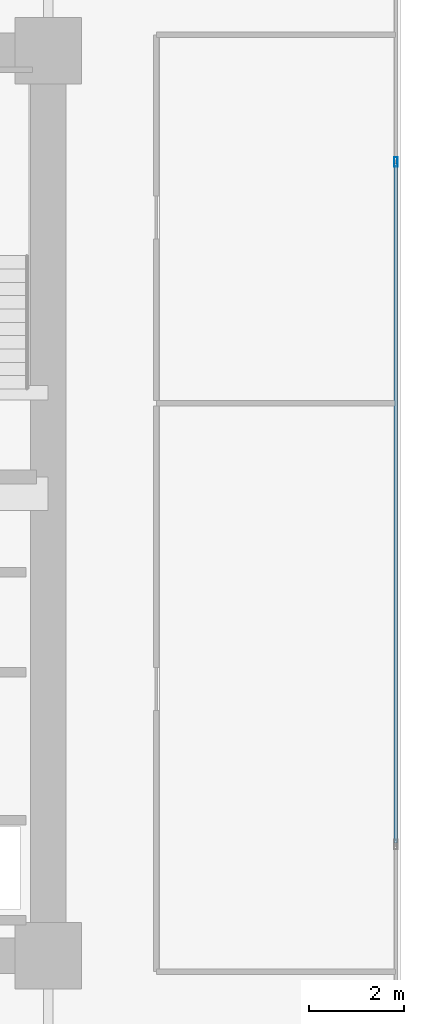
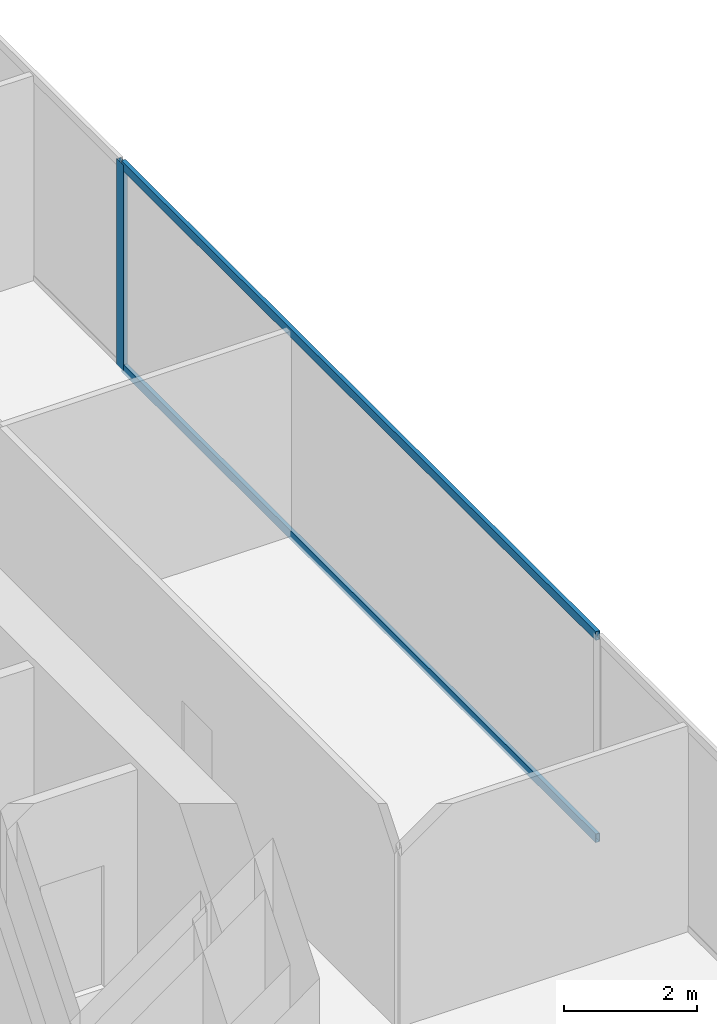
# One storey, part 25 of 36: 3 members, 1 element without a shape of its own.
"""IFC4 building model written with IfcOpenShell, lengths in metres."""

from ifc_helpers import new_model, si_unit, direction, frame, origin, origin_2d, place, context, subcontext, project, spatial, hollow_rectangle, extrude, source, transform, mapped, material, layer, layer_set, material_profile, profile_set, type_object, type_shapes, element, aggregate, save


model = new_model("IFC4")

# Units and contexts
model_context = context("Model", 3, precision=1e-05, world=origin(), true_north=direction((0.0, 1.0)))
body_context = subcontext(model_context, "Body", "Model", "MODEL_VIEW")
ifc_project = project(units=[si_unit("LENGTHUNIT", "METRE"), si_unit("AREAUNIT", "SQUARE_METRE"), si_unit("VOLUMEUNIT", "CUBIC_METRE"), si_unit("PLANEANGLEUNIT", "RADIAN"), si_unit("MASSUNIT", "GRAM", prefix="KILO")], contexts=[model_context])

# Site, building, storey
site_placement = place(None, origin())
site = spatial("IfcSite", under=ifc_project, at=site_placement, CompositionType="ELEMENT")
building_placement = place(site_placement, origin())
building = spatial("IfcBuilding", under=site, at=building_placement, Name="Haelvirn Gate Laboratories", CompositionType="ELEMENT")
storey_placement = place(building_placement, frame((0.0, 0.0, 49.800048828125)))
storey = spatial("IfcBuildingStorey", under=building, at=storey_placement, Name="L12", CompositionType="ELEMENT", Elevation=49.800048828125)

# Curtain wall, members
ifc_material_1 = material(Name="Anodised bronze unitised aluminium & triple low-E glass", Category="aluminium")
ifc_layer = layer(ifc_material_1, 0.18408203125, Name="CW-SYS-2")
ifc_layer_set = layer_set([ifc_layer], Name="Anodised bronze unitised aluminium & triple low-E glass")
curtain_wall_type = type_object("IfcCurtainWallType", Name="CW-SYS-2", PredefinedType="NOTDEFINED", material=ifc_layer_set)
curtain_wall_placement = place(storey_placement, origin())
curtain_wall = element("IfcCurtainWall", 1, at=curtain_wall_placement, inside=storey, type_object=curtain_wall_type, Name="L12 Unitised Curtain Wall CW-L12-P0-E07", PredefinedType="NOTDEFINED")
ifc_material_2 = material(Name="Extruded aluminium 6063-T6 (anodised bronze)", Category="aluminium")
ifc_material_profile_1 = material_profile(ifc_material_2, hollow_rectangle(XDim=0.074951171875, YDim=0.199951171875, WallThickness=0.0048828125, at=origin_2d()), Name="CWM-200x75x5")
ifc_profile_set_1 = profile_set([ifc_material_profile_1], Name="Extruded aluminium 6063-T6 (anodised bronze)")
member_type_1 = type_object("IfcMemberType", Name="CWM-T200", PredefinedType="MULLION", material=ifc_profile_set_1)
shared_shape_1 = source(origin(), body_context, "Body", "SweptSolid", [
    extrude(hollow_rectangle(XDim=0.074951171875, YDim=0.199951171875, WallThickness=0.0048828125, at=origin_2d()), origin(), (0.0, 0.0, 1.0), 3.780029296875),
])
type_shapes(member_type_1, [shared_shape_1])
member_1_placement = place(storey_placement, frame((74.699951171875, 31.466552734375, 0.0), z_axis=(0.0, 0.0, 1.0), x_axis=(-1.0, 0.0, 0.0)))
member_1 = element("IfcMember", 2, at=member_1_placement, type_object=member_type_1, Name="CW2 mullion 3", PredefinedType="MULLION", context=body_context, shape_type="MappedRepresentation", body=[
    mapped(shared_shape_1, transform((0.0, 0.0, 0.0), scale=1.0)),
])
ifc_material_profile_2 = material_profile(ifc_material_2, hollow_rectangle(XDim=0.070068359375, YDim=0.159912109375, WallThickness=0.0048828125, at=origin_2d()), Name="CWT-160x70x5")
ifc_profile_set_2 = profile_set([ifc_material_profile_2], Name="Extruded aluminium 6063-T6 (anodised bronze)")
member_type_2 = type_object("IfcMemberType", Name="CWT-T160", PredefinedType="USERDEFINED", material=ifc_profile_set_2)
shared_shape_2 = source(origin(), body_context, "Body", "SweptSolid", [
    extrude(hollow_rectangle(XDim=0.070068359375, YDim=0.159912109375, WallThickness=0.0048828125, at=origin_2d()), origin(), (0.0, 0.0, 1.0), 14.25830078125),
])
type_shapes(member_type_2, [shared_shape_2])
member_2_placement = place(storey_placement, frame((74.699951171875, 17.1708984375, 0.034912109375), z_axis=(0.0, 1.0, 0.0), x_axis=(-1.0, 0.0, 0.0)))
member_2 = element("IfcMember", 3, at=member_2_placement, type_object=member_type_2, Name="CW2 transom 2.1", ObjectType="TRANSOM", PredefinedType="USERDEFINED", context=body_context, shape_type="MappedRepresentation", body=[
    mapped(shared_shape_2, transform((0.0, 0.0, 0.0), scale=1.0)),
])
member_3_placement = place(storey_placement, frame((74.699951171875, 17.1708984375, 3.744873046875), z_axis=(0.0, 1.0, 0.0), x_axis=(-1.0, 0.0, 0.0)))
member_3 = element("IfcMember", 4, at=member_3_placement, type_object=member_type_2, Name="CW2 transom 2.2", ObjectType="TRANSOM", PredefinedType="USERDEFINED", context=body_context, shape_type="MappedRepresentation", body=[
    mapped(shared_shape_2, transform((0.0, 0.0, 0.0), scale=1.0)),
])
aggregate(curtain_wall, [member_1, member_2, member_3])

save(model, "model.ifc")
